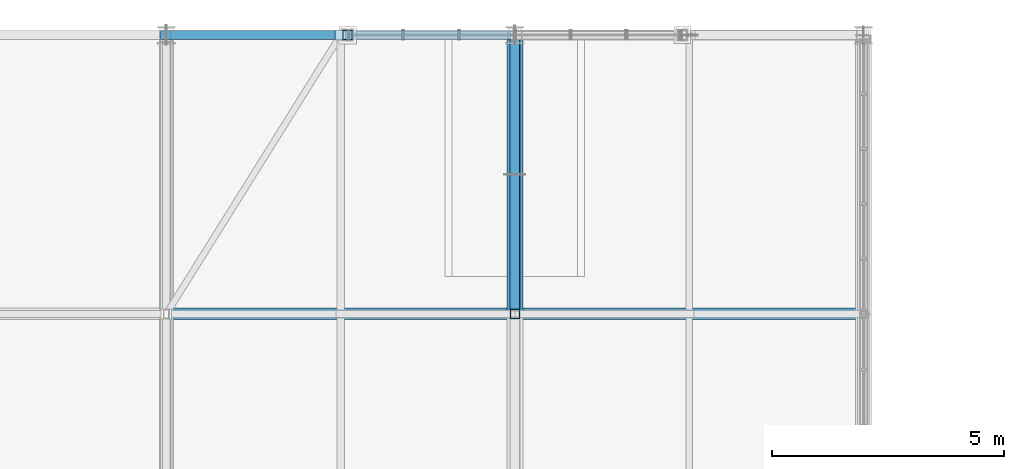
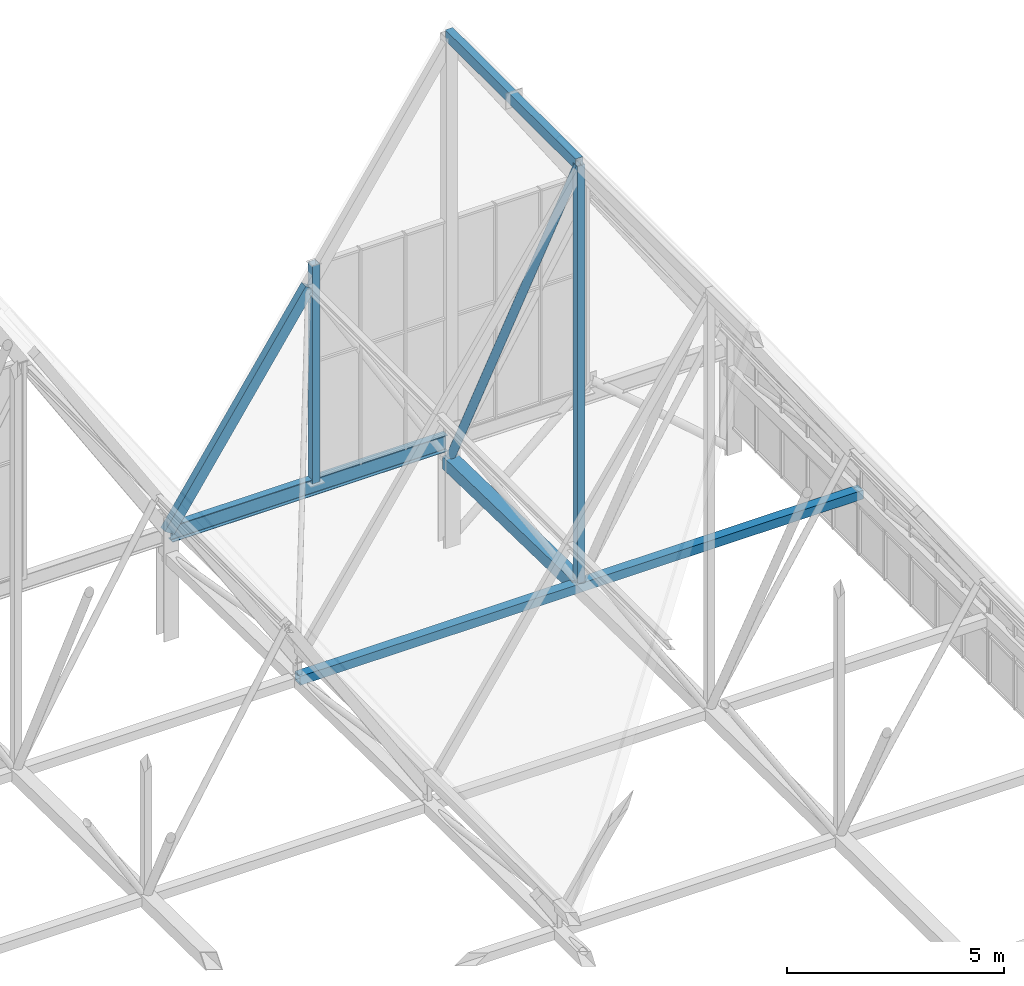
# One storey, part 237 of 324: 7 members, 1 beam.
"""IFC4 building model written with IfcOpenShell, lengths in metres."""

from ifc_helpers import new_model, si_unit, direction, frame, origin, origin_2d, place, context, subcontext, project, spatial, hollow_rectangle, hollow_circle, i_section, extrude, material, material_profile, profile_set, type_object, element, save


model = new_model("IFC4")

# Units and contexts
model_context = context("Model", 3, precision=1e-05, world=origin(), true_north=direction((0.0, 1.0)))
body_context = subcontext(model_context, "Body", "Model", "MODEL_VIEW")
ifc_project = project(units=[si_unit("LENGTHUNIT", "METRE"), si_unit("AREAUNIT", "SQUARE_METRE"), si_unit("VOLUMEUNIT", "CUBIC_METRE"), si_unit("PLANEANGLEUNIT", "RADIAN"), si_unit("MASSUNIT", "GRAM", prefix="KILO")], contexts=[model_context])

# Site, building, storey
site_placement = place(None, origin())
site = spatial("IfcSite", under=ifc_project, at=site_placement, CompositionType="ELEMENT")
building_placement = place(site_placement, origin())
building = spatial("IfcBuilding", under=site, at=building_placement, Name="Solvenia Promenade Tram Depot", CompositionType="ELEMENT")
storey_placement = place(building_placement, frame((0.0, 0.0, 4.5)))
storey = spatial("IfcBuildingStorey", under=building, at=storey_placement, Name="L01", CompositionType="ELEMENT", Elevation=4.5)

# Members
ifc_material_1 = material(Name="Structural steel ASTM A500 Gr. C", Category="steel")
ifc_material_profile_1 = material_profile(ifc_material_1, hollow_circle(Radius=0.109619140625, WallThickness=0.008056640625, at=origin_2d()), Name="CHS219.1x8", Category="steel")
ifc_profile_set_1 = profile_set([ifc_material_profile_1], Name="Structural steel ASTM A500 Gr. C")
member_type_1 = type_object("IfcMemberType", Name="Brace-CHS219x8", PredefinedType="BRACE", material=ifc_profile_set_1)
member_1_placement = place(storey_placement, frame((142.5, 126.0, 2.320068359375), z_axis=(0.0, -0.447068059613, 0.894499944144), x_axis=(1.0, 0.0, 0.0)))
element("IfcMember", 1, at=member_1_placement, inside=storey, type_object=member_type_1, Name="Arched Truss T20 Web Diagonal S10", PredefinedType="BRACE", context=body_context, shape_type="SweptSolid", body=[
    extrude(hollow_circle(Radius=0.109619140625, WallThickness=0.008056640625, at=origin_2d()), origin(), (0.0, 0.0, 1.0), 13.420654296875),
])
ifc_material_profile_2 = material_profile(ifc_material_1, hollow_rectangle(XDim=0.25, YDim=0.25, WallThickness=0.010009765625, at=origin_2d()), Name="HSS250x250x10", Category="steel")
ifc_profile_set_2 = profile_set([ifc_material_profile_2], Name="Structural steel ASTM A500 Gr. C")
member_type_2 = type_object("IfcMemberType", Name="Chord-HSS250x250x10", PredefinedType="CHORD", material=ifc_profile_set_2)
member_2_placement = place(storey_placement, frame((135.0, 120.0, 2.446044921875), z_axis=(1.0, 0.0, 0.0), x_axis=(0.0, 1.0, 0.0)))
element("IfcMember", 2, at=member_2_placement, inside=storey, type_object=member_type_2, Name="Bottom-Chord Catenary Lateral Tie 090", PredefinedType="CHORD", context=body_context, shape_type="SweptSolid", body=[
    extrude(hollow_rectangle(XDim=0.25, YDim=0.25, WallThickness=0.010009765625, at=origin_2d()), origin(), (0.0, 0.0, 1.0), 15.0),
])
ifc_material_profile_3 = material_profile(ifc_material_1, hollow_rectangle(XDim=0.199951171875, YDim=0.300048828125, WallThickness=0.012451171875, at=origin_2d()), Name="HSS300x200x12.5", Category="steel")
ifc_profile_set_3 = profile_set([ifc_material_profile_3], Name="Structural steel ASTM A500 Gr. C")
member_type_3 = type_object("IfcMemberType", Name="Chord-HSS300x200x12", PredefinedType="CHORD", material=ifc_profile_set_3)
member_3_placement = place(storey_placement, frame((142.5, 120.0, 14.324951171875), z_axis=(0.0, 1.0, 0.0), x_axis=(-1.0, 0.0, 0.0)))
element("IfcMember", 3, at=member_3_placement, inside=storey, type_object=member_type_3, Name="Arched Truss T20 Upper Chord S10", PredefinedType="CHORD", context=body_context, shape_type="SweptSolid", body=[
    extrude(hollow_rectangle(XDim=0.199951171875, YDim=0.300048828125, WallThickness=0.012451171875, at=origin_2d()), origin(), (0.0, 0.0, 1.0), 6.0),
])
member_4_placement = place(storey_placement, frame((135.0, 126.0, 2.95703125), z_axis=(0.557276274528, 0.0, 0.830327136644), x_axis=(0.0, 1.0, 0.0)))
element("IfcMember", 4, at=member_4_placement, inside=storey, type_object=member_type_3, Name="Zigzag Gable 10 West Lower Rafter", PredefinedType="CHORD", context=body_context, shape_type="SweptSolid", body=[
    extrude(hollow_rectangle(XDim=0.199951171875, YDim=0.300048828125, WallThickness=0.012451171875, at=origin_2d()), origin(), (0.0, 0.0, 1.0), 6.729248046875),
])
ifc_material_profile_4 = material_profile(ifc_material_1, hollow_rectangle(XDim=0.35009765625, YDim=0.35009765625, WallThickness=0.01611328125, at=origin_2d()), Name="HSS350x350x16", Category="steel")
ifc_profile_set_4 = profile_set([ifc_material_profile_4], Name="Structural steel ASTM A500 Gr. C")
member_type_4 = type_object("IfcMemberType", Name="Chord-HSS350x350x16", PredefinedType="CHORD", material=ifc_profile_set_4)
member_5_placement = place(storey_placement, frame((142.5, 120.0, 2.446044921875), z_axis=(0.0, 0.999779654873, -0.020991467363), x_axis=(-1.0, 0.0, 0.0)))
element("IfcMember", 5, at=member_5_placement, inside=storey, type_object=member_type_4, Name="Arched Truss T20 Bottom Chord S10", PredefinedType="CHORD", context=body_context, shape_type="SweptSolid", body=[
    extrude(hollow_rectangle(XDim=0.35009765625, YDim=0.35009765625, WallThickness=0.01611328125, at=origin_2d()), origin(), (0.0, 0.0, 1.0), 6.001220703125),
])
ifc_material_profile_5 = material_profile(ifc_material_1, hollow_rectangle(XDim=0.199951171875, YDim=0.199951171875, WallThickness=0.010009765625, at=origin_2d()), Name="HSS200x200x10", Category="steel")
ifc_profile_set_5 = profile_set([ifc_material_profile_5], Name="Structural steel ASTM A500 Gr. C")
member_type_5 = type_object("IfcMemberType", Name="Post-HSS200x200x10", PredefinedType="POST", material=ifc_profile_set_5)
member_6_placement = place(storey_placement, frame((142.5, 120.0, 2.446044921875), z_axis=(0.0, 0.0, 1.0), x_axis=(1.0, 0.0, 0.0)))
element("IfcMember", 6, at=member_6_placement, inside=storey, type_object=member_type_5, Name="Arched Truss T20 Web Post S09", PredefinedType="POST", context=body_context, shape_type="SweptSolid", body=[
    extrude(hollow_rectangle(XDim=0.199951171875, YDim=0.199951171875, WallThickness=0.010009765625, at=origin_2d()), origin(), (0.0, 0.0, 1.0), 11.87890625),
])
member_7_placement = place(storey_placement, frame((138.89990234375, 126.0, 3.0), z_axis=(0.0, 0.0, 1.0), x_axis=(1.0, 0.0, 0.0)))
element("IfcMember", 7, at=member_7_placement, inside=storey, type_object=member_type_5, Name="Gable Curtain-Wall Steel Jamb Post 037", PredefinedType="POST", context=body_context, shape_type="SweptSolid", body=[
    extrude(hollow_rectangle(XDim=0.199951171875, YDim=0.199951171875, WallThickness=0.010009765625, at=origin_2d()), origin(), (0.0, 0.0, 1.0), 6.14990234375),
])

# Beam
ifc_material_2 = material(Name="Structural steel ASTM A992 Gr. 50", Category="steel")
ifc_material_profile_6 = material_profile(ifc_material_2, i_section(OverallWidth=0.19091796875, OverallDepth=0.4599609375, WebThickness=0.010009765625, FlangeThickness=0.01611328125, FilletRadius=0.012939453125, at=origin_2d()), Name="W460x82", Category="steel")
ifc_profile_set_6 = profile_set([ifc_material_profile_6], Name="Structural steel ASTM A992 Gr. 50")
beam_type = type_object("IfcBeamType", Name="Spandrel-W460x82", PredefinedType="SPANDREL", material=ifc_profile_set_6)
beam_placement = place(storey_placement, frame((135.0849609375, 126.0, 2.889892578125), z_axis=(1.0, 0.0, 0.0), x_axis=(0.0, 1.0, 0.0)))
element("IfcBeam", 8, at=beam_placement, inside=storey, type_object=beam_type, Name="North Shed Eave Girder BM-L01-0986", PredefinedType="SPANDREL", context=body_context, shape_type="SweptSolid", body=[
    extrude(i_section(OverallWidth=0.19091796875, OverallDepth=0.4599609375, WebThickness=0.010009765625, FlangeThickness=0.01611328125, FilletRadius=0.012939453125, at=origin_2d()), origin(), (0.0, 0.0, 1.0), 7.330078125),
])

save(model, "model.ifc")
